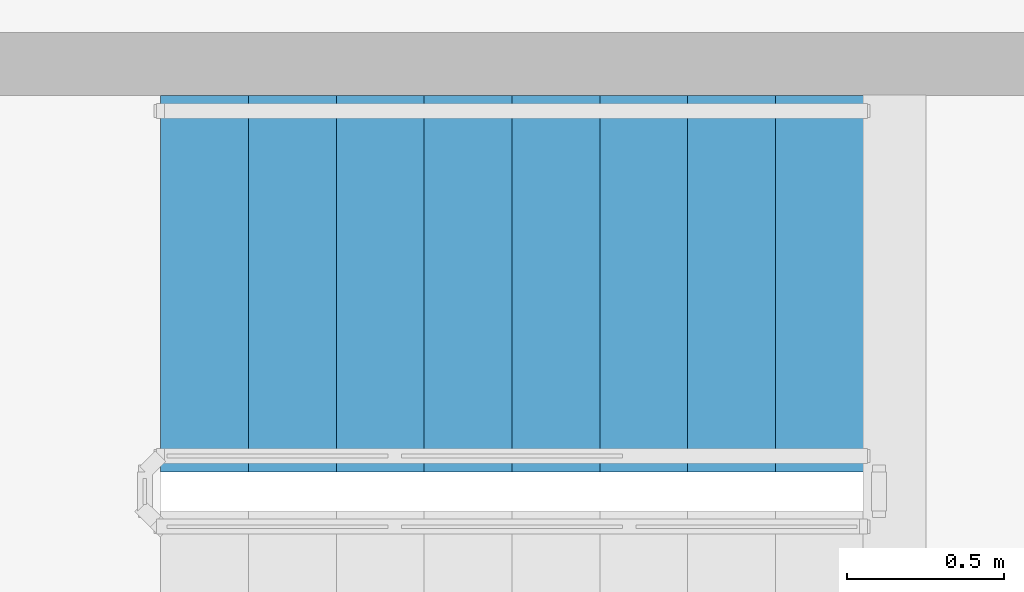
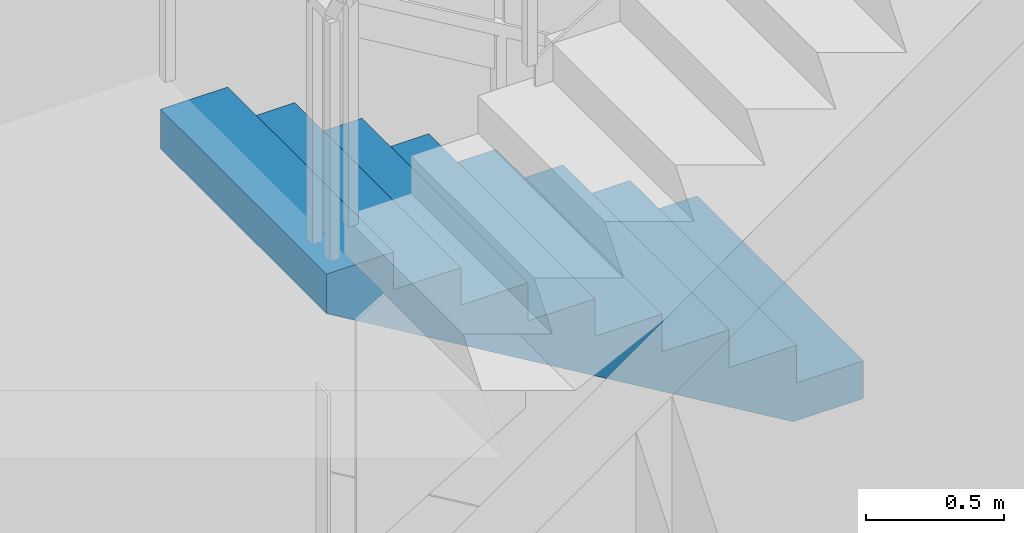
# One storey, part 16 of 18: 1 stair flight, 1 element without a shape of its own.
"""IFC4 building model written with IfcOpenShell, lengths in metres."""

from ifc_helpers import new_model, si_unit, direction, frame, origin, place, context, subcontext, project, spatial, polyline, outline, extrude, material, type_object, element, aggregate, save


model = new_model("IFC4")

# Units and contexts
model_context = context("Model", 3, precision=1e-05, world=origin(), true_north=direction((0.0, 1.0)))
body_context = subcontext(model_context, "Body", "Model", "MODEL_VIEW")
ifc_project = project(units=[si_unit("LENGTHUNIT", "METRE"), si_unit("AREAUNIT", "SQUARE_METRE"), si_unit("VOLUMEUNIT", "CUBIC_METRE"), si_unit("PLANEANGLEUNIT", "RADIAN"), si_unit("MASSUNIT", "GRAM", prefix="KILO")], contexts=[model_context])

# Site, building, storey
site_placement = place(None, origin())
site = spatial("IfcSite", under=ifc_project, at=site_placement, CompositionType="ELEMENT")
building_placement = place(site_placement, origin())
building = spatial("IfcBuilding", under=site, at=building_placement, Name="Cairn Pilgrim Tower", CompositionType="ELEMENT")
storey_placement = place(building_placement, frame((0.0, 0.0, 204.60009765625)))
storey = spatial("IfcBuildingStorey", under=building, at=storey_placement, Name="L52", CompositionType="ELEMENT", Elevation=204.60009765625)

# Stair, stair flight
ifc_material = material(Name="Concrete C32/40", Category="concrete")
stair_type = type_object("IfcStairType", Name="EXIT STAIR 1200", PredefinedType="HALF_TURN_STAIR", material=ifc_material)
stair_placement = place(storey_placement, origin())
stair = element("IfcStair", 1, at=stair_placement, inside=storey, type_object=stair_type, Name="L52 Exit Stair C", PredefinedType="HALF_TURN_STAIR")
stair_flight_type = type_object("IfcStairFlightType", Name="STAIR FLIGHT 1200", PredefinedType="STRAIGHT", material=ifc_material)
stair_flight_placement = place(storey_placement, frame((11.425048828125, 9.5, 3.0), z_axis=(0.0, 0.0, 1.0), x_axis=(-1.0, 0.0, 0.0)))
stair_flight = element("IfcStairFlight", 2, at=stair_flight_placement, type_object=stair_flight_type, Name="ST-C flight 3", NumberOfRisers=9, NumberOfTreads=8, PredefinedType="STRAIGHT", RiserHeight=0.166666667, TreadLength=0.28, context=body_context, shape_type="SweptSolid", body=[
    extrude(outline(polyline([(0.0, 0.0), (0.0, 0.166748046875), (0.280029296875, 0.166748046875), (0.280029296875, 0.333251953125), (0.56005859375, 0.333251953125), (0.56005859375, 0.5), (0.840087890625, 0.5), (0.840087890625, 0.666748046875), (1.1201171875, 0.666748046875), (1.1201171875, 0.833251953125), (1.39990234375, 0.833251953125), (1.39990234375, 1.0), (1.679931640625, 1.0), (1.679931640625, 1.166748046875), (1.9599609375, 1.166748046875), (1.9599609375, 1.333251953125), (2.239990234375, 1.333251953125), (2.239990234375, 1.5), (2.239990234375, 1.158935546875), (0.29296875, 0.0), (0.0, 0.0)])), frame((0.0, 0.60009765625, 0.0), z_axis=(0.0, -1.0, 0.0), x_axis=(1.0, 0.0, 0.0)), (0.0, 0.0, 1.0), 1.199951171875),
])
aggregate(stair, [stair_flight])

save(model, "model.ifc")
